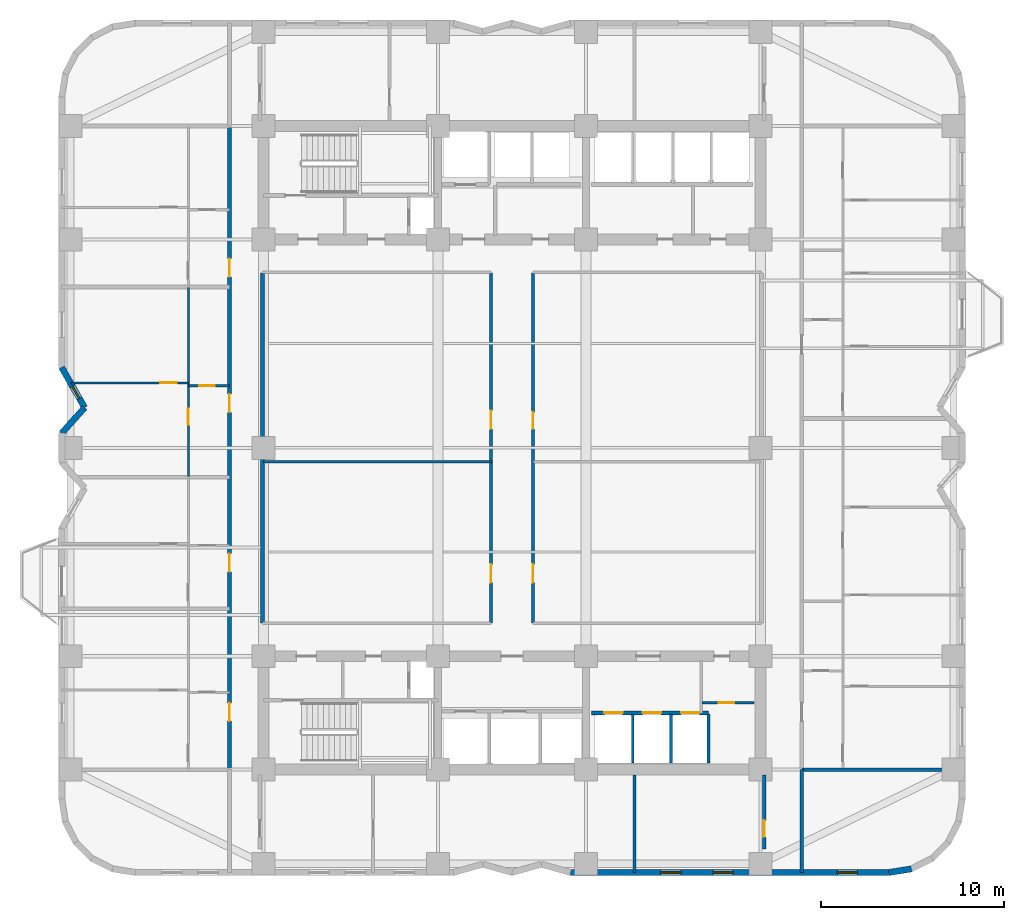
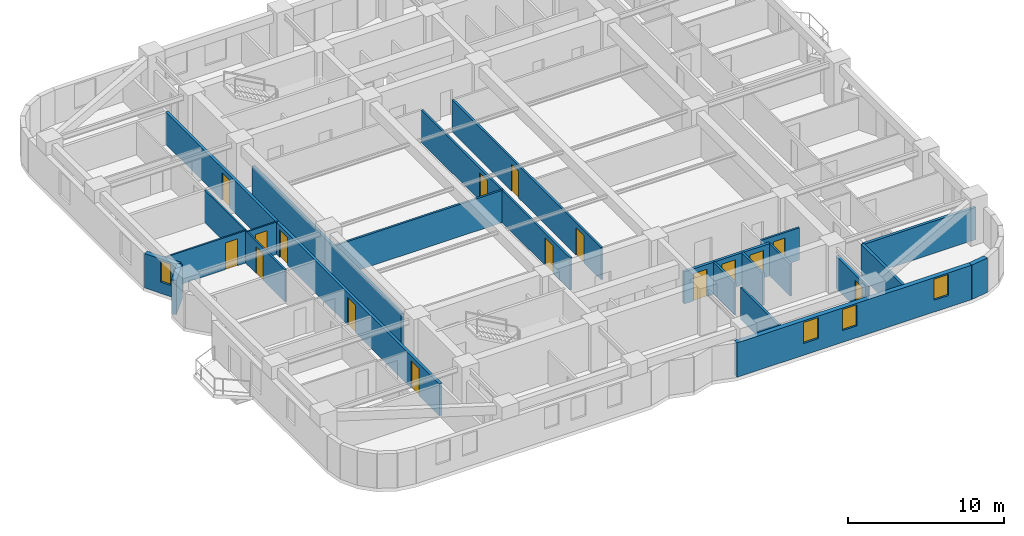
# One storey, part 4 of 9: 21 walls, 16 doors, 4 windows, 20 openings.
"""IFC4 building model written with IfcOpenShell, lengths in metres."""

from ifc_helpers import new_model, si_unit, direction, frame, frame_2d, origin, place, context, subcontext, project, spatial, rectangle, extrude, material, layer, layer_set, type_object, element, fill, save


model = new_model("IFC4")

# Units and contexts
model_context = context("Model", 3, precision=1e-05, world=origin(), true_north=direction((0.0, 1.0)))
body_context = subcontext(model_context, "Body", "Model", "MODEL_VIEW")
ifc_project = project(units=[si_unit("LENGTHUNIT", "METRE"), si_unit("AREAUNIT", "SQUARE_METRE"), si_unit("VOLUMEUNIT", "CUBIC_METRE"), si_unit("PLANEANGLEUNIT", "RADIAN"), si_unit("MASSUNIT", "GRAM", prefix="KILO")], contexts=[model_context])

# Site, building, storey
site_placement = place(None, origin())
site = spatial("IfcSite", under=ifc_project, at=site_placement, CompositionType="ELEMENT")
building_placement = place(site_placement, origin())
building = spatial("IfcBuilding", under=site, at=building_placement, Name="Svetorya Sky Lyceum", CompositionType="ELEMENT")
storey_placement = place(building_placement, frame((0.0, 0.0, 54.699951171875)))
storey = spatial("IfcBuildingStorey", under=building, at=storey_placement, Name="L13", CompositionType="ELEMENT", Elevation=54.699951171875)

# Wall, openings, windows
ifc_material_1 = material(Name="Putilovo limestone rainscreen on autoclaved cellular masonry", Category="masonry")
ifc_layer_1 = layer(ifc_material_1, 0.340087890625)
ifc_layer_set_1 = layer_set([ifc_layer_1], Name="Putilovo limestone rainscreen on autoclaved cellular masonry")
wall_type_1 = type_object("IfcWallType", Name="WL-EXT-340", PredefinedType="SOLIDWALL", material=ifc_layer_set_1)
wall_1_placement = place(storey_placement, frame((42.39990234375, 4.969970703125, 0.0), z_axis=(0.0, 0.0, 1.0), x_axis=(1.0, 0.0, 0.0)))
wall_1 = element("IfcWall", 1, at=wall_1_placement, inside=storey, type_object=wall_type_1, Name="L13 Limestone Exterior Wall 11M", PredefinedType="SOLIDWALL", context=body_context, shape_type="SweptSolid", body=[
    extrude(rectangle(XDim=17.400146484375, YDim=0.340087890625, at=frame_2d((8.7001953125, 0.0))), origin(), (0.0, 0.0, 1.0), 2.699951171875),
])
opening_1_placement = place(wall_1_placement, frame((4.929931640625, 0.0, 0.929931640625)))
opening_1 = element("IfcOpeningElement", 2, at=opening_1_placement, cuts=wall_1, Name="Opening W-R3", PredefinedType="OPENING", context=body_context, shape_type="SweptSolid", body=[
    extrude(rectangle(XDim=1.10009765625, YDim=1.64990234375, at=frame_2d((0.550048828125, 0.824951171875))), frame((0.0, 0.179931640625, 0.0), z_axis=(0.0, -1.0, 0.0), x_axis=(1.0, 0.0, 0.0)), (0.0, 0.0, 1.0), 0.360107421875),
])
opening_2_placement = place(wall_1_placement, frame((7.800048828125, 0.0, 0.929931640625)))
opening_2 = element("IfcOpeningElement", 3, at=opening_2_placement, cuts=wall_1, Name="Opening W-R3", PredefinedType="OPENING", context=body_context, shape_type="SweptSolid", body=[
    extrude(rectangle(XDim=1.10009765625, YDim=1.64990234375, at=frame_2d((0.550048828125, 0.824951171875))), frame((0.0, 0.179931640625, 0.0), z_axis=(0.0, -1.0, 0.0), x_axis=(1.0, 0.0, 0.0)), (0.0, 0.0, 1.0), 0.360107421875),
])
opening_3_placement = place(wall_1_placement, frame((14.590087890625, 0.0, 0.929931640625)))
opening_3 = element("IfcOpeningElement", 4, at=opening_3_placement, cuts=wall_1, Name="Opening W-R3", PredefinedType="OPENING", context=body_context, shape_type="SweptSolid", body=[
    extrude(rectangle(XDim=1.10009765625, YDim=1.64990234375, at=frame_2d((0.550048828125, 0.824951171875))), frame((0.0, 0.179931640625, 0.0), z_axis=(0.0, -1.0, 0.0), x_axis=(1.0, 0.0, 0.0)), (0.0, 0.0, 1.0), 0.360107421875),
])
ifc_material_2 = material(Name="Thermally broken aluminium frame with triple low-E glazing", Category="aluminium")
window_type_1 = type_object("IfcWindowType", Name="WN-RES-110", PartitioningType="SINGLE_PANEL", PredefinedType="WINDOW", material=ifc_material_2)
window_1_placement = place(opening_1_placement, origin())
window_1 = element("IfcWindow", 5, at=window_1_placement, inside=storey, type_object=window_type_1, Name="L13 Facade Window W-R3.11M.1", OverallHeight=1.64990234375, OverallWidth=1.10009765625, PartitioningType="SINGLE_PANEL", PredefinedType="WINDOW", context=body_context, shape_type="SweptSolid", body=[
    extrude(rectangle(XDim=1.10009765625, YDim=1.64990234375, at=frame_2d((0.550048828125, 0.824951171875))), frame((0.0, 0.030029296875, 0.0), z_axis=(0.0, -1.0, 0.0), x_axis=(1.0, 0.0, 0.0)), (0.0, 0.0, 1.0), 0.06005859375),
])
fill(opening_1, window_1)
window_2_placement = place(opening_2_placement, origin())
window_2 = element("IfcWindow", 6, at=window_2_placement, inside=storey, type_object=window_type_1, Name="L13 Facade Window W-R3.11M.2", OverallHeight=1.64990234375, OverallWidth=1.10009765625, PartitioningType="SINGLE_PANEL", PredefinedType="WINDOW", context=body_context, shape_type="SweptSolid", body=[
    extrude(rectangle(XDim=1.10009765625, YDim=1.64990234375, at=frame_2d((0.550048828125, 0.824951171875))), frame((0.0, 0.030029296875, 0.0), z_axis=(0.0, -1.0, 0.0), x_axis=(1.0, 0.0, 0.0)), (0.0, 0.0, 1.0), 0.06005859375),
])
fill(opening_2, window_2)
window_3_placement = place(opening_3_placement, origin())
window_3 = element("IfcWindow", 7, at=window_3_placement, inside=storey, type_object=window_type_1, Name="L13 Facade Window W-R3.11M.3", OverallHeight=1.64990234375, OverallWidth=1.10009765625, PartitioningType="SINGLE_PANEL", PredefinedType="WINDOW", context=body_context, shape_type="SweptSolid", body=[
    extrude(rectangle(XDim=1.10009765625, YDim=1.64990234375, at=frame_2d((0.550048828125, 0.824951171875))), frame((0.0, 0.030029296875, 0.0), z_axis=(0.0, -1.0, 0.0), x_axis=(1.0, 0.0, 0.0)), (0.0, 0.0, 1.0), 0.06005859375),
])
fill(opening_3, window_3)

# Wall
wall_2_placement = place(storey_placement, frame((59.800048828125, 4.969970703125, 0.0), z_axis=(0.0, 0.0, 1.0), x_axis=(0.987685918112, 0.15644975923, 0.0)))
element("IfcWall", 8, at=wall_2_placement, inside=storey, type_object=wall_type_1, Name="L13 Limestone Exterior Wall 12M", PredefinedType="SOLIDWALL", context=body_context, shape_type="SweptSolid", body=[
    extrude(rectangle(XDim=1.260986328125, YDim=0.340087890625, at=frame_2d((0.63037109375, 0.0))), origin(), (0.0, 0.0, 1.0), 2.699951171875),
])

# Wall, opening, window
wall_3_placement = place(storey_placement, frame((14.570068359375, 32.60009765625, 0.0), z_axis=(0.0, 0.0, 1.0), x_axis=(0.493976255291, -0.869475393101, 0.0)))
wall_3 = element("IfcWall", 9, at=wall_3_placement, inside=storey, type_object=wall_type_1, Name="L13 Limestone Exterior Wall 41M", PredefinedType="SOLIDWALL", context=body_context, shape_type="SweptSolid", body=[
    extrude(rectangle(XDim=2.530517578125, YDim=0.340087890625, at=frame_2d((1.26513671875, 0.0))), origin(), (0.0, 0.0, 1.0), 2.699951171875),
])
opening_4_placement = place(wall_3_placement, frame((1.199951171875, 0.0, 0.889892578125)))
opening_4 = element("IfcOpeningElement", 10, at=opening_4_placement, cuts=wall_3, Name="Opening W-R5", PredefinedType="OPENING", context=body_context, shape_type="SweptSolid", body=[
    extrude(rectangle(XDim=0.75, YDim=1.64990234375, at=frame_2d((0.375, 0.824951171875))), frame((0.0, 0.179931640625, 0.0), z_axis=(0.0, -1.0, 0.0), x_axis=(1.0, 0.0, 0.0)), (0.0, 0.0, 1.0), 0.360107421875),
])
window_type_2 = type_object("IfcWindowType", Name="WN-RES-075", PartitioningType="SINGLE_PANEL", PredefinedType="WINDOW", material=ifc_material_2)
window_4_placement = place(opening_4_placement, origin())
window_4 = element("IfcWindow", 11, at=window_4_placement, inside=storey, type_object=window_type_2, Name="L13 Facade Window W-R5.41M.1", OverallHeight=1.64990234375, OverallWidth=0.75, PartitioningType="SINGLE_PANEL", PredefinedType="WINDOW", context=body_context, shape_type="SweptSolid", body=[
    extrude(rectangle(XDim=0.75, YDim=1.64990234375, at=frame_2d((0.375, 0.824951171875))), frame((0.0, 0.030029296875, 0.0), z_axis=(0.0, -1.0, 0.0), x_axis=(1.0, 0.0, 0.0)), (0.0, 0.0, 1.0), 0.06005859375),
])
fill(opening_4, window_4)

# Wall
wall_4_placement = place(storey_placement, frame((15.820068359375, 30.39990234375, 0.0), z_axis=(0.0, 0.0, 1.0), x_axis=(-0.666041619974, -0.74591457987, 0.0)))
element("IfcWall", 12, at=wall_4_placement, inside=storey, type_object=wall_type_1, Name="L13 Limestone Exterior Wall 42M", PredefinedType="SOLIDWALL", context=body_context, shape_type="SweptSolid", body=[
    extrude(rectangle(XDim=1.876708984375, YDim=0.340087890625, at=frame_2d((0.9384765625, 0.0))), origin(), (0.0, 0.0, 1.0), 2.699951171875),
])

# Wall, opening, door
ifc_material_3 = material(Name="Twin-stud galvanized framing with double fireboard", Category="gypsum")
ifc_layer_2 = layer(ifc_material_3, 0.1201171875)
ifc_layer_set_2 = layer_set([ifc_layer_2], Name="Twin-stud galvanized framing with double fireboard")
wall_type_2 = type_object("IfcWallType", Name="WL-PART-120", PredefinedType="PARTITIONING", material=ifc_layer_set_2)
wall_5_placement = place(storey_placement, frame((21.5, 31.590087890625, 0.0), z_axis=(0.0, 0.0, 1.0), x_axis=(1.0, 0.0, 0.0)))
wall_5 = element("IfcWall", 13, at=wall_5_placement, inside=storey, type_object=wall_type_2, Name="L13 Interior Partition W3-WH1", PredefinedType="PARTITIONING", context=body_context, shape_type="SweptSolid", body=[
    extrude(rectangle(XDim=2.25, YDim=0.1201171875, at=frame_2d((1.125, 0.0))), origin(), (0.0, 0.0, 1.0), 2.530029296875),
])
opening_5_placement = place(wall_5_placement, frame((0.60009765625, 0.0, 0.0)))
opening_5 = element("IfcOpeningElement", 14, at=opening_5_placement, cuts=wall_5, Name="Opening D-BT1", PredefinedType="OPENING", context=body_context, shape_type="SweptSolid", body=[
    extrude(rectangle(XDim=0.85009765625, YDim=2.10009765625, at=frame_2d((0.425048828125, 1.050048828125))), frame((0.0, 0.070068359375, 0.0), z_axis=(0.0, -1.0, 0.0), x_axis=(1.0, 0.0, 0.0)), (0.0, 0.0, 1.0), 0.14013671875),
])
ifc_material_4 = material(Name="Moisture-resistant laminate bathroom door")
door_type_1 = type_object("IfcDoorType", Name="DR-WET-850", OperationType="SINGLE_SWING_LEFT", PredefinedType="DOOR", material=ifc_material_4)
door_1_placement = place(opening_5_placement, origin())
door_1 = element("IfcDoor", 15, at=door_1_placement, inside=storey, type_object=door_type_1, Name="Apartment W3 Bathroom Door", OperationType="SINGLE_SWING_LEFT", OverallHeight=2.10009765625, OverallWidth=0.85009765625, PredefinedType="DOOR", context=body_context, shape_type="SweptSolid", body=[
    extrude(rectangle(XDim=0.85009765625, YDim=2.10009765625, at=frame_2d((0.425048828125, 1.050048828125))), frame((0.0, 0.02490234375, 0.0), z_axis=(0.0, -1.0, 0.0), x_axis=(1.0, 0.0, 0.0)), (0.0, 0.0, 1.0), 0.050048828125),
])
fill(opening_5, door_1)

wall_6_placement = place(storey_placement, frame((15.052978515625, 31.75, 0.0), z_axis=(0.0, 0.0, 1.0), x_axis=(1.0, 0.0, 0.0)))
wall_6 = element("IfcWall", 16, at=wall_6_placement, inside=storey, type_object=wall_type_2, Name="L13 Interior Partition W3-WL1", PredefinedType="PARTITIONING", context=body_context, shape_type="SweptSolid", body=[
    extrude(rectangle(XDim=6.447021484375, YDim=0.1201171875, at=frame_2d((3.2236328125, 0.0))), origin(), (0.0, 0.0, 1.0), 2.530029296875),
])
opening_6_placement = place(wall_6_placement, frame((4.89697265625, 0.0, 0.0)))
opening_6 = element("IfcOpeningElement", 17, at=opening_6_placement, cuts=wall_6, Name="Opening D-RM1", PredefinedType="OPENING", context=body_context, shape_type="SweptSolid", body=[
    extrude(rectangle(XDim=0.89990234375, YDim=2.10009765625, at=frame_2d((0.449951171875, 1.050048828125))), frame((0.0, 0.070068359375, 0.0), z_axis=(0.0, -1.0, 0.0), x_axis=(1.0, 0.0, 0.0)), (0.0, 0.0, 1.0), 0.14013671875),
])
ifc_material_5 = material(Name="Lacquered birch veneer internal door")
door_type_2 = type_object("IfcDoorType", Name="DR-INT-900", OperationType="SINGLE_SWING_LEFT", PredefinedType="DOOR", material=ifc_material_5)
door_2_placement = place(opening_6_placement, origin())
door_2 = element("IfcDoor", 18, at=door_2_placement, inside=storey, type_object=door_type_2, Name="Apartment W3 Bedroom 1 Door", OperationType="SINGLE_SWING_LEFT", OverallHeight=2.10009765625, OverallWidth=0.89990234375, PredefinedType="DOOR", context=body_context, shape_type="SweptSolid", body=[
    extrude(rectangle(XDim=0.89990234375, YDim=2.10009765625, at=frame_2d((0.449951171875, 1.050048828125))), frame((0.0, 0.02490234375, 0.0), z_axis=(0.0, -1.0, 0.0), x_axis=(1.0, 0.0, 0.0)), (0.0, 0.0, 1.0), 0.050048828125),
])
fill(opening_6, door_2)

wall_7_placement = place(storey_placement, frame((21.5, 26.639892578125, 0.0), z_axis=(0.0, 0.0, 1.0), x_axis=(0.0, 1.0, 0.0)))
wall_7 = element("IfcWall", 19, at=wall_7_placement, inside=storey, type_object=wall_type_2, Name="L13 Interior Partition W3-WV", PredefinedType="PARTITIONING", context=body_context, shape_type="SweptSolid", body=[
    extrude(rectangle(XDim=10.320068359375, YDim=0.1201171875, at=frame_2d((5.16015625, 0.0))), origin(), (0.0, 0.0, 1.0), 2.530029296875),
])
opening_7_placement = place(wall_7_placement, frame((2.81005859375, 0.0, 0.0)))
opening_7 = element("IfcOpeningElement", 20, at=opening_7_placement, cuts=wall_7, Name="Opening D-RM1", PredefinedType="OPENING", context=body_context, shape_type="SweptSolid", body=[
    extrude(rectangle(XDim=0.89990234375, YDim=2.10009765625, at=frame_2d((0.449951171875, 1.050048828125))), frame((0.0, 0.070068359375, 0.0), z_axis=(0.0, -1.0, 0.0), x_axis=(1.0, 0.0, 0.0)), (0.0, 0.0, 1.0), 0.14013671875),
])
door_3_placement = place(opening_7_placement, origin())
door_3 = element("IfcDoor", 21, at=door_3_placement, inside=storey, type_object=door_type_2, Name="Apartment W3 Living Door", OperationType="SINGLE_SWING_RIGHT", OverallHeight=2.10009765625, OverallWidth=0.89990234375, PredefinedType="DOOR", context=body_context, shape_type="SweptSolid", body=[
    extrude(rectangle(XDim=0.89990234375, YDim=2.10009765625, at=frame_2d((0.449951171875, 1.050048828125))), frame((0.0, 0.02490234375, 0.0), z_axis=(0.0, -1.0, 0.0), x_axis=(1.0, 0.0, 0.0)), (0.0, 0.0, 1.0), 0.050048828125),
])
fill(opening_7, door_3)

# Walls
ifc_material_6 = material(Name="Autoclaved cellular masonry blockwork with acoustic render", Category="masonry")
ifc_layer_3 = layer(ifc_material_6, 0.14990234375)
ifc_layer_set_3 = layer_set([ifc_layer_3], Name="Autoclaved cellular masonry blockwork with acoustic render")
wall_type_3 = type_object("IfcWallType", Name="WL-PART-150", PredefinedType="PARTITIONING", material=ifc_layer_set_3)
for number, where, z_axis, x_axis, name in (
    (22, (45.800048828125, 10.949951171875, 0.0), (0.0, 0.0, 1.0), (0.0, 1.0, 0.0), "L13 Interior Partition SC-PL-DIV1"),
    (23, (47.89990234375, 10.949951171875, 0.0), (0.0, 0.0, 1.0), (0.0, 1.0, 0.0), "L13 Interior Partition SC-PL-DIV2"),
    (24, (49.949951171875, 10.949951171875, 0.0), (0.0, 0.0, 1.0), (0.0, 1.0, 0.0), "L13 Interior Partition SC-PL-END"),
):
    element("IfcWall", number, at=place(storey_placement, frame(where, z_axis=z_axis, x_axis=x_axis)), inside=storey, type_object=wall_type_3, Name=name, PredefinedType="PARTITIONING", context=body_context, shape_type="SweptSolid", body=[
        extrude(rectangle(XDim=2.699951171875, YDim=0.14990234375, at=frame_2d((1.35009765625, 0.0))), origin(), (0.0, 0.0, 1.0), 2.530029296875),
    ])

# Wall, opening, door
wall_8_placement = place(storey_placement, frame((49.60009765625, 14.25, 0.0), z_axis=(0.0, 0.0, 1.0), x_axis=(1.0, 0.0, 0.0)))
wall_8 = element("IfcWall", 25, at=wall_8_placement, inside=storey, type_object=wall_type_3, Name="L13 Interior Partition SC-AUX-H2", PredefinedType="PARTITIONING", context=body_context, shape_type="SweptSolid", body=[
    extrude(rectangle(XDim=2.849853515625, YDim=0.14990234375, at=frame_2d((1.4248046875, 0.0))), origin(), (0.0, 0.0, 1.0), 2.530029296875),
])
opening_8_placement = place(wall_8_placement, frame((0.89990234375, 0.0, 0.0)))
opening_8 = element("IfcOpeningElement", 26, at=opening_8_placement, cuts=wall_8, Name="Opening D-CWC1", PredefinedType="OPENING", context=body_context, shape_type="SweptSolid", body=[
    extrude(rectangle(XDim=0.85009765625, YDim=2.10009765625, at=frame_2d((0.425048828125, 1.050048828125))), frame((0.0, 0.0849609375, 0.0), z_axis=(0.0, -1.0, 0.0), x_axis=(1.0, 0.0, 0.0)), (0.0, 0.0, 1.0), 0.169921875),
])
ifc_material_7 = material(Name="Fire-rated galvanized steel core service closet door", Category="steel")
door_type_3 = type_object("IfcDoorType", Name="DR-CWET-850", OperationType="SINGLE_SWING_LEFT", PredefinedType="DOOR", material=ifc_material_7)
door_4_placement = place(opening_8_placement, origin())
door_4 = element("IfcDoor", 27, at=door_4_placement, inside=storey, type_object=door_type_3, Name="L13 South Telecom Room Door", OperationType="SINGLE_SWING_RIGHT", OverallHeight=2.10009765625, OverallWidth=0.85009765625, PredefinedType="DOOR", context=body_context, shape_type="SweptSolid", body=[
    extrude(rectangle(XDim=0.85009765625, YDim=2.10009765625, at=frame_2d((0.425048828125, 1.050048828125))), frame((0.0, 0.02490234375, 0.0), z_axis=(0.0, -1.0, 0.0), x_axis=(1.0, 0.0, 0.0)), (0.0, 0.0, 1.0), 0.050048828125),
])
fill(opening_8, door_4)

# Wall
wall_9_placement = place(storey_placement, frame((25.60009765625, 27.434326171875, 0.0), z_axis=(0.0, 0.0, 1.0), x_axis=(1.0, 0.0, 0.0)))
element("IfcWall", 28, at=wall_9_placement, inside=storey, type_object=wall_type_3, Name="L13 Interior Partition CEN-HW", PredefinedType="PARTITIONING", context=body_context, shape_type="SweptSolid", body=[
    extrude(rectangle(XDim=12.469970703125, YDim=0.14990234375, at=frame_2d((6.23486328125, 0.0))), origin(), (0.0, 0.0, 1.0), 2.530029296875),
])

# Wall, openings, doors
wall_10_placement = place(storey_placement, frame((38.050048828125, 18.6298828125, 0.0), z_axis=(0.0, 0.0, 1.0), x_axis=(0.0, 1.0, 0.0)))
wall_10 = element("IfcWall", 29, at=wall_10_placement, inside=storey, type_object=wall_type_3, Name="L13 Interior Partition CEN-VW", PredefinedType="PARTITIONING", context=body_context, shape_type="SweptSolid", body=[
    extrude(rectangle(XDim=19.14013671875, YDim=0.14990234375, at=frame_2d((9.570068359375, 0.0))), origin(), (0.0, 0.0, 1.0), 2.530029296875),
])
opening_9_placement = place(wall_10_placement, frame((2.199951171875, 0.0, 0.0)))
opening_9 = element("IfcOpeningElement", 30, at=opening_9_placement, cuts=wall_10, Name="Opening D-RM2", PredefinedType="OPENING", context=body_context, shape_type="SweptSolid", body=[
    extrude(rectangle(XDim=1.0, YDim=2.14990234375, at=frame_2d((0.5, 1.074951171875))), frame((0.0, 0.0849609375, 0.0), z_axis=(0.0, -1.0, 0.0), x_axis=(1.0, 0.0, 0.0)), (0.0, 0.0, 1.0), 0.169921875),
])
opening_10_placement = place(wall_10_placement, frame((10.6044921875, 0.0, 0.0)))
opening_10 = element("IfcOpeningElement", 31, at=opening_10_placement, cuts=wall_10, Name="Opening D-RM2", PredefinedType="OPENING", context=body_context, shape_type="SweptSolid", body=[
    extrude(rectangle(XDim=1.0, YDim=2.14990234375, at=frame_2d((0.5, 1.074951171875))), frame((0.0, 0.0849609375, 0.0), z_axis=(0.0, -1.0, 0.0), x_axis=(1.0, 0.0, 0.0)), (0.0, 0.0, 1.0), 0.169921875),
])
ifc_material_8 = material(Name="Solid-core oak acoustic room door")
door_type_4 = type_object("IfcDoorType", Name="DR-INT-1000", OperationType="SINGLE_SWING_LEFT", PredefinedType="DOOR", material=ifc_material_8)
door_5_placement = place(opening_9_placement, origin())
door_5 = element("IfcDoor", 32, at=door_5_placement, inside=storey, type_object=door_type_4, Name="L13 Meeting Door", OperationType="SINGLE_SWING_LEFT", OverallHeight=2.14990234375, OverallWidth=1.0, PredefinedType="DOOR", context=body_context, shape_type="SweptSolid", body=[
    extrude(rectangle(XDim=1.0, YDim=2.14990234375, at=frame_2d((0.5, 1.074951171875))), frame((0.0, 0.02490234375, 0.0), z_axis=(0.0, -1.0, 0.0), x_axis=(1.0, 0.0, 0.0)), (0.0, 0.0, 1.0), 0.050048828125),
])
fill(opening_9, door_5)
door_6_placement = place(opening_10_placement, origin())
door_6 = element("IfcDoor", 33, at=door_6_placement, inside=storey, type_object=door_type_4, Name="L13 Focus Door", OperationType="SINGLE_SWING_RIGHT", OverallHeight=2.14990234375, OverallWidth=1.0, PredefinedType="DOOR", context=body_context, shape_type="SweptSolid", body=[
    extrude(rectangle(XDim=1.0, YDim=2.14990234375, at=frame_2d((0.5, 1.074951171875))), frame((0.0, 0.02490234375, 0.0), z_axis=(0.0, -1.0, 0.0), x_axis=(1.0, 0.0, 0.0)), (0.0, 0.0, 1.0), 0.050048828125),
])
fill(opening_10, door_6)

wall_11_placement = place(storey_placement, frame((40.35009765625, 18.6298828125, 0.0), z_axis=(0.0, 0.0, 1.0), x_axis=(0.0, 1.0, 0.0)))
wall_11 = element("IfcWall", 34, at=wall_11_placement, inside=storey, type_object=wall_type_3, Name="L13 Interior Partition CEN-VE", PredefinedType="PARTITIONING", context=body_context, shape_type="SweptSolid", body=[
    extrude(rectangle(XDim=19.14013671875, YDim=0.14990234375, at=frame_2d((9.570068359375, 0.0))), origin(), (0.0, 0.0, 1.0), 2.530029296875),
])
opening_11_placement = place(wall_11_placement, frame((2.199951171875, 0.0, 0.0)))
opening_11 = element("IfcOpeningElement", 35, at=opening_11_placement, cuts=wall_11, Name="Opening D-RM2", PredefinedType="OPENING", context=body_context, shape_type="SweptSolid", body=[
    extrude(rectangle(XDim=1.0, YDim=2.14990234375, at=frame_2d((0.5, 1.074951171875))), frame((0.0, 0.0849609375, 0.0), z_axis=(0.0, -1.0, 0.0), x_axis=(1.0, 0.0, 0.0)), (0.0, 0.0, 1.0), 0.169921875),
])
opening_12_placement = place(wall_11_placement, frame((10.6044921875, 0.0, 0.0)))
opening_12 = element("IfcOpeningElement", 36, at=opening_12_placement, cuts=wall_11, Name="Opening D-RM1", PredefinedType="OPENING", context=body_context, shape_type="SweptSolid", body=[
    extrude(rectangle(XDim=0.89990234375, YDim=2.10009765625, at=frame_2d((0.449951171875, 1.050048828125))), frame((0.0, 0.0849609375, 0.0), z_axis=(0.0, -1.0, 0.0), x_axis=(1.0, 0.0, 0.0)), (0.0, 0.0, 1.0), 0.169921875),
])
door_7_placement = place(opening_11_placement, origin())
door_7 = element("IfcDoor", 37, at=door_7_placement, inside=storey, type_object=door_type_4, Name="L13 Office Door", OperationType="SINGLE_SWING_RIGHT", OverallHeight=2.14990234375, OverallWidth=1.0, PredefinedType="DOOR", context=body_context, shape_type="SweptSolid", body=[
    extrude(rectangle(XDim=1.0, YDim=2.14990234375, at=frame_2d((0.5, 1.074951171875))), frame((0.0, 0.02490234375, 0.0), z_axis=(0.0, -1.0, 0.0), x_axis=(1.0, 0.0, 0.0)), (0.0, 0.0, 1.0), 0.050048828125),
])
fill(opening_11, door_7)
door_8_placement = place(opening_12_placement, origin())
door_8 = element("IfcDoor", 38, at=door_8_placement, inside=storey, type_object=door_type_2, Name="L13 Pantry Door", OperationType="SINGLE_SWING_LEFT", OverallHeight=2.10009765625, OverallWidth=0.89990234375, PredefinedType="DOOR", context=body_context, shape_type="SweptSolid", body=[
    extrude(rectangle(XDim=0.89990234375, YDim=2.10009765625, at=frame_2d((0.449951171875, 1.050048828125))), frame((0.0, 0.02490234375, 0.0), z_axis=(0.0, -1.0, 0.0), x_axis=(1.0, 0.0, 0.0)), (0.0, 0.0, 1.0), 0.050048828125),
])
fill(opening_12, door_8)

# Wall
wall_12_placement = place(storey_placement, frame((45.89990234375, 4.969970703125, 0.0), z_axis=(0.0, 0.0, 1.0), x_axis=(0.0, 1.0, 0.0)))
element("IfcWall", 39, at=wall_12_placement, inside=storey, type_object=wall_type_3, Name="L13 Interior Partition S-D2", PredefinedType="PARTITIONING", context=body_context, shape_type="SweptSolid", body=[
    extrude(rectangle(XDim=5.330078125, YDim=0.14990234375, at=frame_2d((2.6650390625, 0.0))), origin(), (0.0, 0.0, 1.0), 2.530029296875),
])

# Wall, openings, doors
ifc_material_9 = material(Name="Autoclaved cellular masonry blockwork with gypsum plaster", Category="masonry")
ifc_layer_4 = layer(ifc_material_9, 0.199951171875)
ifc_layer_set_4 = layer_set([ifc_layer_4], Name="Autoclaved cellular masonry blockwork with gypsum plaster")
wall_type_4 = type_object("IfcWallType", Name="WL-PART-200", PredefinedType="PARTITIONING", material=ifc_layer_set_4)
wall_13_placement = place(storey_placement, frame((43.550048828125, 13.699951171875, 0.0), z_axis=(0.0, 0.0, 1.0), x_axis=(1.0, 0.0, 0.0)))
wall_13 = element("IfcWall", 40, at=wall_13_placement, inside=storey, type_object=wall_type_4, Name="L13 Interior Partition SC-PLW", PredefinedType="PARTITIONING", context=body_context, shape_type="SweptSolid", body=[
    extrude(rectangle(XDim=6.39990234375, YDim=0.199951171875, at=frame_2d((3.199951171875, 0.0))), origin(), (0.0, 0.0, 1.0), 2.530029296875),
])
opening_13_placement = place(wall_13_placement, frame((0.699951171875, 0.0, 0.0)))
opening_13 = element("IfcOpeningElement", 41, at=opening_13_placement, cuts=wall_13, Name="Opening LD-P1", PredefinedType="OPENING", context=body_context, shape_type="SweptSolid", body=[
    extrude(rectangle(XDim=1.0, YDim=2.14990234375, at=frame_2d((0.5, 1.074951171875))), frame((0.0, 0.10986328125, 0.0), z_axis=(0.0, -1.0, 0.0), x_axis=(1.0, 0.0, 0.0)), (0.0, 0.0, 1.0), 0.219970703125),
])
opening_14_placement = place(wall_13_placement, frame((2.800048828125, 0.0, 0.0)))
opening_14 = element("IfcOpeningElement", 42, at=opening_14_placement, cuts=wall_13, Name="Opening LD-P1", PredefinedType="OPENING", context=body_context, shape_type="SweptSolid", body=[
    extrude(rectangle(XDim=1.0, YDim=2.14990234375, at=frame_2d((0.5, 1.074951171875))), frame((0.0, 0.10986328125, 0.0), z_axis=(0.0, -1.0, 0.0), x_axis=(1.0, 0.0, 0.0)), (0.0, 0.0, 1.0), 0.219970703125),
])
opening_15_placement = place(wall_13_placement, frame((4.89990234375, 0.0, 0.0)))
opening_15 = element("IfcOpeningElement", 43, at=opening_15_placement, cuts=wall_13, Name="Opening LD-P1", PredefinedType="OPENING", context=body_context, shape_type="SweptSolid", body=[
    extrude(rectangle(XDim=1.0, YDim=2.14990234375, at=frame_2d((0.5, 1.074951171875))), frame((0.0, 0.10986328125, 0.0), z_axis=(0.0, -1.0, 0.0), x_axis=(1.0, 0.0, 0.0)), (0.0, 0.0, 1.0), 0.219970703125),
])
ifc_material_10 = material(Name="Champagne-anodized stainless passenger lift landing door")
door_type_5 = type_object("IfcDoorType", Name="DR-LIFT-1000", OperationType="SLIDING_TO_LEFT", PredefinedType="DOOR", material=ifc_material_10)
door_9_placement = place(opening_13_placement, origin())
door_9 = element("IfcDoor", 44, at=door_9_placement, inside=storey, type_object=door_type_5, Name="L13 Passenger Lift PL1 Landing Door", OperationType="SLIDING_TO_LEFT", OverallHeight=2.14990234375, OverallWidth=1.0, PredefinedType="DOOR", context=body_context, shape_type="SweptSolid", body=[
    extrude(rectangle(XDim=1.0, YDim=2.14990234375, at=frame_2d((0.5, 1.074951171875))), frame((0.0, 0.02490234375, 0.0), z_axis=(0.0, -1.0, 0.0), x_axis=(1.0, 0.0, 0.0)), (0.0, 0.0, 1.0), 0.050048828125),
])
fill(opening_13, door_9)
door_10_placement = place(opening_14_placement, origin())
door_10 = element("IfcDoor", 45, at=door_10_placement, inside=storey, type_object=door_type_5, Name="L13 Passenger Lift PL2 Landing Door", OperationType="SLIDING_TO_LEFT", OverallHeight=2.14990234375, OverallWidth=1.0, PredefinedType="DOOR", context=body_context, shape_type="SweptSolid", body=[
    extrude(rectangle(XDim=1.0, YDim=2.14990234375, at=frame_2d((0.5, 1.074951171875))), frame((0.0, 0.02490234375, 0.0), z_axis=(0.0, -1.0, 0.0), x_axis=(1.0, 0.0, 0.0)), (0.0, 0.0, 1.0), 0.050048828125),
])
fill(opening_14, door_10)
door_11_placement = place(opening_15_placement, origin())
door_11 = element("IfcDoor", 46, at=door_11_placement, inside=storey, type_object=door_type_5, Name="L13 Passenger Lift PL3 Landing Door", OperationType="SLIDING_TO_LEFT", OverallHeight=2.14990234375, OverallWidth=1.0, PredefinedType="DOOR", context=body_context, shape_type="SweptSolid", body=[
    extrude(rectangle(XDim=1.0, YDim=2.14990234375, at=frame_2d((0.5, 1.074951171875))), frame((0.0, 0.02490234375, 0.0), z_axis=(0.0, -1.0, 0.0), x_axis=(1.0, 0.0, 0.0)), (0.0, 0.0, 1.0), 0.050048828125),
])
fill(opening_15, door_11)

# Wall
wall_14_placement = place(storey_placement, frame((25.550048828125, 18.6298828125, 0.0), z_axis=(0.0, 0.0, 1.0), x_axis=(0.0, 1.0, 0.0)))
element("IfcWall", 47, at=wall_14_placement, inside=storey, type_object=wall_type_4, Name="L13 Interior Partition W-CEN-SEP", PredefinedType="PARTITIONING", context=body_context, shape_type="SweptSolid", body=[
    extrude(rectangle(XDim=19.14013671875, YDim=0.199951171875, at=frame_2d((9.570068359375, 0.0))), origin(), (0.0, 0.0, 1.0), 2.530029296875),
])

# Wall, openings, doors
wall_15_placement = place(storey_placement, frame((23.75, 10.60009765625, 0.0), z_axis=(0.0, 0.0, 1.0), x_axis=(0.0, 1.0, 0.0)))
wall_15 = element("IfcWall", 48, at=wall_15_placement, inside=storey, type_object=wall_type_4, Name="L13 Interior Partition W-CORRW", PredefinedType="PARTITIONING", context=body_context, shape_type="SweptSolid", body=[
    extrude(rectangle(XDim=35.199951171875, YDim=0.199951171875, at=frame_2d((17.60009765625, 0.0))), origin(), (0.0, 0.0, 1.0), 2.530029296875),
])
opening_16_placement = place(wall_15_placement, frame((2.64990234375, 0.0, 0.0)))
opening_16 = element("IfcOpeningElement", 49, at=opening_16_placement, cuts=wall_15, Name="Opening D-APT1", PredefinedType="OPENING", context=body_context, shape_type="SweptSolid", body=[
    extrude(rectangle(XDim=1.0, YDim=2.14990234375, at=frame_2d((0.5, 1.074951171875))), frame((0.0, 0.10986328125, 0.0), z_axis=(0.0, -1.0, 0.0), x_axis=(1.0, 0.0, 0.0)), (0.0, 0.0, 1.0), 0.219970703125),
])
opening_17_placement = place(wall_15_placement, frame((10.81005859375, 0.0, 0.0)))
opening_17 = element("IfcOpeningElement", 50, at=opening_17_placement, cuts=wall_15, Name="Opening D-APT1", PredefinedType="OPENING", context=body_context, shape_type="SweptSolid", body=[
    extrude(rectangle(XDim=1.0, YDim=2.14990234375, at=frame_2d((0.5, 1.074951171875))), frame((0.0, 0.10986328125, 0.0), z_axis=(0.0, -1.0, 0.0), x_axis=(1.0, 0.0, 0.0)), (0.0, 0.0, 1.0), 0.219970703125),
])
opening_18_placement = place(wall_15_placement, frame((19.5400390625, 0.0, 0.0)))
opening_18 = element("IfcOpeningElement", 51, at=opening_18_placement, cuts=wall_15, Name="Opening D-APT1", PredefinedType="OPENING", context=body_context, shape_type="SweptSolid", body=[
    extrude(rectangle(XDim=1.0, YDim=2.14990234375, at=frame_2d((0.5, 1.074951171875))), frame((0.0, 0.10986328125, 0.0), z_axis=(0.0, -1.0, 0.0), x_axis=(1.0, 0.0, 0.0)), (0.0, 0.0, 1.0), 0.219970703125),
])
opening_19_placement = place(wall_15_placement, frame((26.949951171875, 0.0, 0.0)))
opening_19 = element("IfcOpeningElement", 52, at=opening_19_placement, cuts=wall_15, Name="Opening D-APT1", PredefinedType="OPENING", context=body_context, shape_type="SweptSolid", body=[
    extrude(rectangle(XDim=1.0, YDim=2.14990234375, at=frame_2d((0.5, 1.074951171875))), frame((0.0, 0.10986328125, 0.0), z_axis=(0.0, -1.0, 0.0), x_axis=(1.0, 0.0, 0.0)), (0.0, 0.0, 1.0), 0.219970703125),
])
ifc_material_11 = material(Name="Insulated oak-veneered apartment entrance door")
door_type_6 = type_object("IfcDoorType", Name="DR-APT-1000", OperationType="SINGLE_SWING_LEFT", PredefinedType="DOOR", material=ifc_material_11)
door_12_placement = place(opening_16_placement, origin())
door_12 = element("IfcDoor", 53, at=door_12_placement, inside=storey, type_object=door_type_6, Name="L13 Apartment W1 Entrance Door", OperationType="SINGLE_SWING_LEFT", OverallHeight=2.14990234375, OverallWidth=1.0, PredefinedType="DOOR", context=body_context, shape_type="SweptSolid", body=[
    extrude(rectangle(XDim=1.0, YDim=2.14990234375, at=frame_2d((0.5, 1.074951171875))), frame((0.0, 0.02490234375, 0.0), z_axis=(0.0, -1.0, 0.0), x_axis=(1.0, 0.0, 0.0)), (0.0, 0.0, 1.0), 0.050048828125),
])
fill(opening_16, door_12)
door_13_placement = place(opening_17_placement, origin())
door_13 = element("IfcDoor", 54, at=door_13_placement, inside=storey, type_object=door_type_6, Name="L13 Apartment W2 Entrance Door", OperationType="SINGLE_SWING_RIGHT", OverallHeight=2.14990234375, OverallWidth=1.0, PredefinedType="DOOR", context=body_context, shape_type="SweptSolid", body=[
    extrude(rectangle(XDim=1.0, YDim=2.14990234375, at=frame_2d((0.5, 1.074951171875))), frame((0.0, 0.02490234375, 0.0), z_axis=(0.0, -1.0, 0.0), x_axis=(1.0, 0.0, 0.0)), (0.0, 0.0, 1.0), 0.050048828125),
])
fill(opening_17, door_13)
door_14_placement = place(opening_18_placement, origin())
door_14 = element("IfcDoor", 55, at=door_14_placement, inside=storey, type_object=door_type_6, Name="L13 Apartment W3 Entrance Door", OperationType="SINGLE_SWING_LEFT", OverallHeight=2.14990234375, OverallWidth=1.0, PredefinedType="DOOR", context=body_context, shape_type="SweptSolid", body=[
    extrude(rectangle(XDim=1.0, YDim=2.14990234375, at=frame_2d((0.5, 1.074951171875))), frame((0.0, 0.02490234375, 0.0), z_axis=(0.0, -1.0, 0.0), x_axis=(1.0, 0.0, 0.0)), (0.0, 0.0, 1.0), 0.050048828125),
])
fill(opening_18, door_14)
door_15_placement = place(opening_19_placement, origin())
door_15 = element("IfcDoor", 56, at=door_15_placement, inside=storey, type_object=door_type_6, Name="L13 Apartment W4 Entrance Door", OperationType="SINGLE_SWING_RIGHT", OverallHeight=2.14990234375, OverallWidth=1.0, PredefinedType="DOOR", context=body_context, shape_type="SweptSolid", body=[
    extrude(rectangle(XDim=1.0, YDim=2.14990234375, at=frame_2d((0.5, 1.074951171875))), frame((0.0, 0.02490234375, 0.0), z_axis=(0.0, -1.0, 0.0), x_axis=(1.0, 0.0, 0.0)), (0.0, 0.0, 1.0), 0.050048828125),
])
fill(opening_19, door_15)

# Walls
wall_16_placement = place(storey_placement, frame((55.050048828125, 10.60009765625, 0.0), z_axis=(0.0, 0.0, 1.0), x_axis=(1.0, 0.0, 0.0)))
element("IfcWall", 57, at=wall_16_placement, inside=storey, type_object=wall_type_4, Name="L13 Interior Partition E-CAP-S", PredefinedType="PARTITIONING", context=body_context, shape_type="SweptSolid", body=[
    extrude(rectangle(XDim=8.35986328125, YDim=0.199951171875, at=frame_2d((4.179931640625, 0.0))), origin(), (0.0, 0.0, 1.0), 2.530029296875),
])
wall_17_placement = place(storey_placement, frame((55.050048828125, 4.969970703125, 0.0), z_axis=(0.0, 0.0, 1.0), x_axis=(0.0, 1.0, 0.0)))
element("IfcWall", 58, at=wall_17_placement, inside=storey, type_object=wall_type_4, Name="L13 Interior Partition EC-SE-END", PredefinedType="PARTITIONING", context=body_context, shape_type="SweptSolid", body=[
    extrude(rectangle(XDim=5.630126953125, YDim=0.199951171875, at=frame_2d((2.81494140625, 0.0))), origin(), (0.0, 0.0, 1.0), 2.530029296875),
])

# Wall, opening, door
wall_18_placement = place(storey_placement, frame((53.0, 6.27001953125, 0.0), z_axis=(0.0, 0.0, 1.0), x_axis=(0.0, 1.0, 0.0)))
wall_18 = element("IfcWall", 59, at=wall_18_placement, inside=storey, type_object=wall_type_4, Name="L13 Interior Partition S-EE", PredefinedType="PARTITIONING", context=body_context, shape_type="SweptSolid", body=[
    extrude(rectangle(XDim=4.030029296875, YDim=0.199951171875, at=frame_2d((2.01513671875, 0.0))), origin(), (0.0, 0.0, 1.0), 2.530029296875),
])
opening_20_placement = place(wall_18_placement, frame((0.64990234375, 0.0, 0.0)))
opening_20 = element("IfcOpeningElement", 60, at=opening_20_placement, cuts=wall_18, Name="Opening D-RM1", PredefinedType="OPENING", context=body_context, shape_type="SweptSolid", body=[
    extrude(rectangle(XDim=0.89990234375, YDim=2.10009765625, at=frame_2d((0.449951171875, 1.050048828125))), frame((0.0, 0.10986328125, 0.0), z_axis=(0.0, -1.0, 0.0), x_axis=(1.0, 0.0, 0.0)), (0.0, 0.0, 1.0), 0.219970703125),
])
door_16_placement = place(opening_20_placement, origin())
door_16 = element("IfcDoor", 61, at=door_16_placement, inside=storey, type_object=door_type_2, Name="L13 South Focus Door", OperationType="SINGLE_SWING_RIGHT", OverallHeight=2.10009765625, OverallWidth=0.89990234375, PredefinedType="DOOR", context=body_context, shape_type="SweptSolid", body=[
    extrude(rectangle(XDim=0.89990234375, YDim=2.10009765625, at=frame_2d((0.449951171875, 1.050048828125))), frame((0.0, 0.02490234375, 0.0), z_axis=(0.0, -1.0, 0.0), x_axis=(1.0, 0.0, 0.0)), (0.0, 0.0, 1.0), 0.050048828125),
])
fill(opening_20, door_16)

save(model, "model.ifc")
